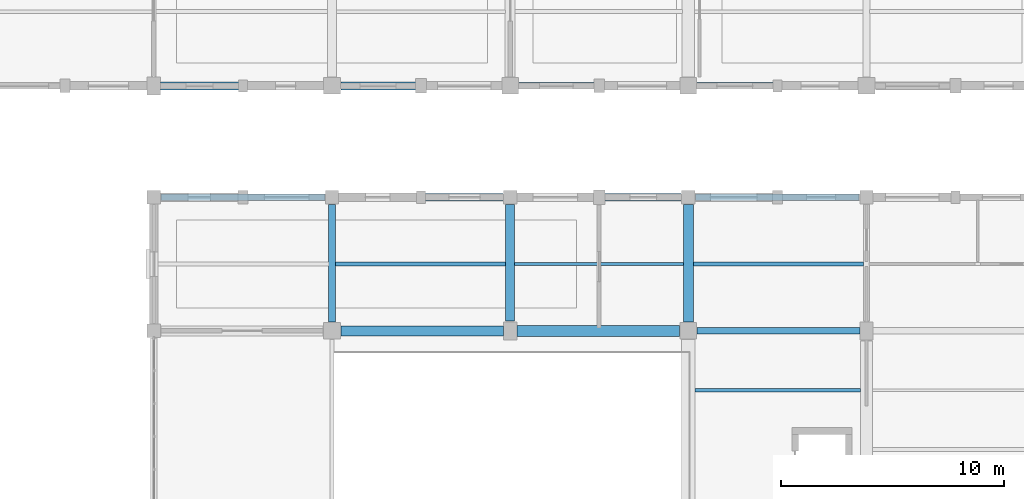
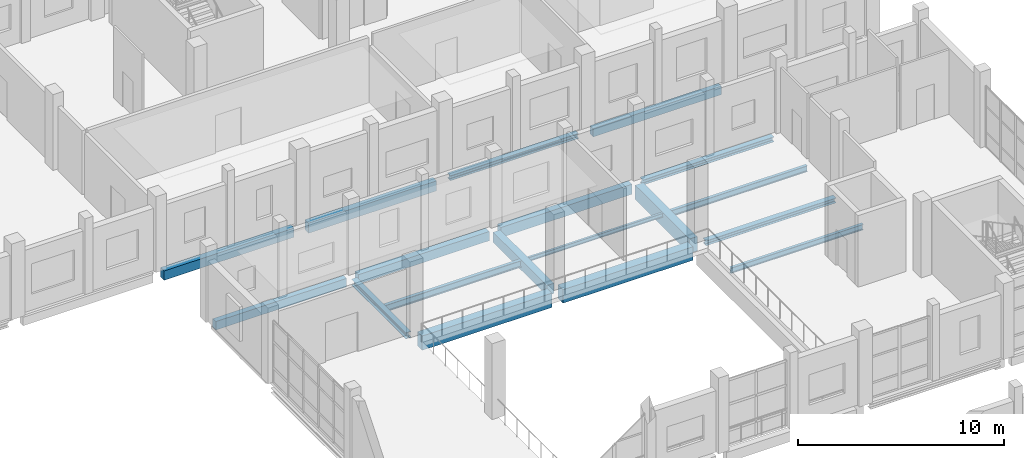
# One storey, part 111 of 183: 18 beams.
"""IFC4 building model written with IfcOpenShell, lengths in metres."""

from ifc_helpers import new_model, si_unit, direction, frame, origin, origin_2d, place, context, subcontext, project, spatial, rectangle, i_section, extrude, material, material_profile, profile_set, type_object, element, save


model = new_model("IFC4")

# Units and contexts
model_context = context("Model", 3, precision=1e-05, world=origin(), true_north=direction((0.0, 1.0)))
body_context = subcontext(model_context, "Body", "Model", "MODEL_VIEW")
ifc_project = project(units=[si_unit("LENGTHUNIT", "METRE"), si_unit("AREAUNIT", "SQUARE_METRE"), si_unit("VOLUMEUNIT", "CUBIC_METRE"), si_unit("PLANEANGLEUNIT", "RADIAN"), si_unit("MASSUNIT", "GRAM", prefix="KILO")], contexts=[model_context])

# Site, building, storey
site_placement = place(None, origin())
site = spatial("IfcSite", under=ifc_project, at=site_placement, CompositionType="ELEMENT")
building_placement = place(site_placement, origin())
building = spatial("IfcBuilding", under=site, at=building_placement, Name="Luwemba Playhouse", CompositionType="ELEMENT")
storey_placement = place(building_placement, frame((0.0, 0.0, 4.800048828125)))
storey = spatial("IfcBuildingStorey", under=building, at=storey_placement, Name="L01", CompositionType="ELEMENT", Elevation=4.800048828125)

# Beams
ifc_material_1 = material(Name="Concrete C40/50", Category="concrete")
ifc_material_profile_1 = material_profile(ifc_material_1, rectangle(XDim=0.39990234375, YDim=0.60009765625, at=origin_2d()))
ifc_profile_set_1 = profile_set([ifc_material_profile_1], Name="Concrete C40/50")
beam_type_1 = type_object("IfcBeamType", Name="BM-RB01", PredefinedType="BEAM", material=ifc_profile_set_1)
beam_1_placement = place(storey_placement, frame((148.0, 84.449951171875, -0.550048828125), z_axis=(0.0, 1.0, 0.0), x_axis=(-1.0, 0.0, 0.0)))
element("IfcBeam", 1, at=beam_1_placement, inside=storey, type_object=beam_type_1, Name="L01 transverse girder 0459", PredefinedType="BEAM", context=body_context, shape_type="SweptSolid", body=[
    extrude(rectangle(XDim=0.39990234375, YDim=0.60009765625, at=origin_2d()), origin(), (0.0, 0.0, 1.0), 5.22509765625),
])
ifc_material_profile_2 = material_profile(ifc_material_1, rectangle(XDim=0.449951171875, YDim=0.85009765625, at=origin_2d()))
ifc_profile_set_2 = profile_set([ifc_material_profile_2], Name="Concrete C40/50")
beam_type_2 = type_object("IfcBeamType", Name="BM-RB05", PredefinedType="BEAM", material=ifc_profile_set_2)
beam_2_placement = place(storey_placement, frame((140.39990234375, 84.0, -0.675048828125), z_axis=(1.0, 0.0, 0.0), x_axis=(0.0, 1.0, 0.0)))
element("IfcBeam", 2, at=beam_2_placement, inside=storey, type_object=beam_type_2, Name="L01 grid girder 0444", PredefinedType="BEAM", context=body_context, shape_type="SweptSolid", body=[
    extrude(rectangle(XDim=0.449951171875, YDim=0.85009765625, at=origin_2d()), origin(), (0.0, 0.0, 1.0), 7.300048828125),
])
beam_3_placement = place(storey_placement, frame((156.0, 84.39990234375, -0.675048828125), z_axis=(0.0, 1.0, 0.0), x_axis=(-1.0, 0.0, 0.0)))
element("IfcBeam", 3, at=beam_3_placement, inside=storey, type_object=beam_type_2, Name="L01 transverse girder 0461", PredefinedType="BEAM", context=body_context, shape_type="SweptSolid", body=[
    extrude(rectangle(XDim=0.449951171875, YDim=0.85009765625, at=origin_2d()), origin(), (0.0, 0.0, 1.0), 5.275146484375),
])
ifc_material_profile_3 = material_profile(ifc_material_1, rectangle(XDim=0.5, YDim=0.800048828125, at=origin_2d()))
ifc_profile_set_3 = profile_set([ifc_material_profile_3], Name="Concrete C40/50")
beam_type_3 = type_object("IfcBeamType", Name="BM-RB06", PredefinedType="BEAM", material=ifc_profile_set_3)
beam_4_placement = place(storey_placement, frame((148.300048828125, 84.0, -0.650146484375), z_axis=(1.0, 0.0, 0.0), x_axis=(0.0, 1.0, 0.0)))
element("IfcBeam", 4, at=beam_4_placement, inside=storey, type_object=beam_type_3, Name="L01 grid girder 0445", PredefinedType="BEAM", context=body_context, shape_type="SweptSolid", body=[
    extrude(rectangle(XDim=0.5, YDim=0.800048828125, at=origin_2d()), origin(), (0.0, 0.0, 1.0), 7.300048828125),
])
ifc_material_2 = material(Name="Steel S355", Category="steel")
ifc_material_profile_4 = material_profile(ifc_material_2, i_section(OverallWidth=0.300048828125, OverallDepth=0.2900390625, WebThickness=0.008544921875, FlangeThickness=0.013916015625, FilletRadius=0.027099609375, at=origin_2d()))
ifc_profile_set_4 = profile_set([ifc_material_profile_4], Name="Steel S355")
beam_type_4 = type_object("IfcBeamType", Name="BM-SB03", PredefinedType="BEAM", material=ifc_profile_set_4)
beam_5_placement = place(storey_placement, frame((156.39990234375, 84.0, -0.39501953125), z_axis=(1.0, 0.0, 0.0), x_axis=(0.0, 1.0, 0.0)))
element("IfcBeam", 5, at=beam_5_placement, inside=storey, type_object=beam_type_4, Name="L01 grid girder 0446", PredefinedType="BEAM", context=body_context, shape_type="SweptSolid", body=[
    extrude(i_section(OverallWidth=0.300048828125, OverallDepth=0.2900390625, WebThickness=0.008544921875, FlangeThickness=0.013916015625, FilletRadius=0.027099609375, at=origin_2d()), origin(), (0.0, 0.0, 1.0), 7.300048828125),
])
ifc_material_profile_5 = material_profile(ifc_material_2, i_section(OverallWidth=0.300048828125, OverallDepth=0.360107421875, WebThickness=0.012451171875, FlangeThickness=0.0224609375, FilletRadius=0.027099609375, at=origin_2d()))
ifc_profile_set_5 = profile_set([ifc_material_profile_5], Name="Steel S355")
beam_type_5 = type_object("IfcBeamType", Name="BM-SB09", PredefinedType="BEAM", material=ifc_profile_set_5)
beam_6_placement = place(storey_placement, frame((140.0, 84.39990234375, -0.429931640625), z_axis=(0.0, 1.0, 0.0), x_axis=(-1.0, 0.0, 0.0)))
element("IfcBeam", 6, at=beam_6_placement, inside=storey, type_object=beam_type_5, Name="L01 transverse girder 0458", PredefinedType="BEAM", context=body_context, shape_type="SweptSolid", body=[
    extrude(i_section(OverallWidth=0.300048828125, OverallDepth=0.360107421875, WebThickness=0.012451171875, FlangeThickness=0.0224609375, FilletRadius=0.027099609375, at=origin_2d()), origin(), (0.0, 0.0, 1.0), 5.275146484375),
])
ifc_material_profile_6 = material_profile(ifc_material_2, i_section(OverallWidth=0.1201171875, OverallDepth=0.239990234375, WebThickness=0.006103515625, FlangeThickness=0.009765625, FilletRadius=0.014892578125, at=origin_2d()))
ifc_profile_set_6 = profile_set([ifc_material_profile_6], Name="Steel S355")
beam_type_6 = type_object("IfcBeamType", Name="BM-SJ03", PredefinedType="JOIST", material=ifc_profile_set_6)
beam_7_placement = place(storey_placement, frame((148.196044921875, 87.0, -0.3701171875), z_axis=(1.0, 0.0, 0.0), x_axis=(0.0, 1.0, 0.0)))
element("IfcBeam", 7, at=beam_7_placement, inside=storey, type_object=beam_type_6, Name="L01 composite floor joist 0268", PredefinedType="JOIST", context=body_context, shape_type="SweptSolid", body=[
    extrude(i_section(OverallWidth=0.1201171875, OverallDepth=0.239990234375, WebThickness=0.006103515625, FlangeThickness=0.009765625, FilletRadius=0.014892578125, at=origin_2d()), origin(), (0.0, 0.0, 1.0), 7.5830078125),
])
ifc_material_profile_7 = material_profile(ifc_material_2, i_section(OverallWidth=0.159912109375, OverallDepth=0.330078125, WebThickness=0.007568359375, FlangeThickness=0.011474609375, FilletRadius=0.01806640625, at=origin_2d()))
ifc_profile_set_7 = profile_set([ifc_material_profile_7], Name="Steel S355")
beam_type_7 = type_object("IfcBeamType", Name="BM-SJ06", PredefinedType="JOIST", material=ifc_profile_set_7)
beam_8_placement = place(storey_placement, frame((156.2958984375, 81.333251953125, -0.4150390625), z_axis=(1.0, 0.0, 0.0), x_axis=(0.0, 1.0, 0.0)))
element("IfcBeam", 8, at=beam_8_placement, inside=storey, type_object=beam_type_7, Name="L01 composite floor joist 0271", PredefinedType="JOIST", context=body_context, shape_type="SweptSolid", body=[
    extrude(i_section(OverallWidth=0.159912109375, OverallDepth=0.330078125, WebThickness=0.007568359375, FlangeThickness=0.011474609375, FilletRadius=0.01806640625, at=origin_2d()), origin(), (0.0, 0.0, 1.0), 7.43310546875),
])
ifc_material_profile_8 = material_profile(ifc_material_2, i_section(OverallWidth=0.169921875, OverallDepth=0.360107421875, WebThickness=0.008056640625, FlangeThickness=0.0126953125, FilletRadius=0.01806640625, at=origin_2d()))
ifc_profile_set_8 = profile_set([ifc_material_profile_8], Name="Steel S355")
beam_type_8 = type_object("IfcBeamType", Name="BM-SJ07", PredefinedType="JOIST", material=ifc_profile_set_8)
beam_9_placement = place(storey_placement, frame((156.220947265625, 87.0, -0.429931640625), z_axis=(1.0, 0.0, 0.0), x_axis=(0.0, 1.0, 0.0)))
element("IfcBeam", 9, at=beam_9_placement, inside=storey, type_object=beam_type_8, Name="L01 composite floor joist 0272", PredefinedType="JOIST", context=body_context, shape_type="SweptSolid", body=[
    extrude(i_section(OverallWidth=0.169921875, OverallDepth=0.360107421875, WebThickness=0.008056640625, FlangeThickness=0.0126953125, FilletRadius=0.01806640625, at=origin_2d()), origin(), (0.0, 0.0, 1.0), 7.64306640625),
])
ifc_material_profile_9 = material_profile(ifc_material_2, i_section(OverallWidth=0.179931640625, OverallDepth=0.39990234375, WebThickness=0.008544921875, FlangeThickness=0.013427734375, FilletRadius=0.02099609375, at=origin_2d()))
ifc_profile_set_9 = profile_set([ifc_material_profile_9], Name="Steel S355")
beam_type_9 = type_object("IfcBeamType", Name="BM-SJ08", PredefinedType="JOIST", material=ifc_profile_set_9)
beam_10_placement = place(storey_placement, frame((140.14599609375, 87.0, -0.449951171875), z_axis=(1.0, 0.0, 0.0), x_axis=(0.0, 1.0, 0.0)))
element("IfcBeam", 10, at=beam_10_placement, inside=storey, type_object=beam_type_9, Name="L01 composite floor joist 0267", PredefinedType="JOIST", context=body_context, shape_type="SweptSolid", body=[
    extrude(i_section(OverallWidth=0.179931640625, OverallDepth=0.39990234375, WebThickness=0.008544921875, FlangeThickness=0.013427734375, FilletRadius=0.02099609375, at=origin_2d()), origin(), (0.0, 0.0, 1.0), 7.657958984375),
])
ifc_material_profile_10 = material_profile(ifc_material_1, rectangle(XDim=0.300048828125, YDim=0.5, at=origin_2d()))
ifc_profile_set_10 = profile_set([ifc_material_profile_10], Name="Concrete C40/50")
beam_type_10 = type_object("IfcBeamType", Name="BM-SP1", PredefinedType="SPANDREL", material=ifc_profile_set_10)
beam_11_placement = place(storey_placement, frame((132.324951171875, 90.0, -0.5), z_axis=(1.0, 0.0, 0.0), x_axis=(0.0, 1.0, 0.0)))
element("IfcBeam", 11, at=beam_11_placement, inside=storey, type_object=beam_type_10, Name="L01 grid girder 0448", PredefinedType="SPANDREL", context=body_context, shape_type="SweptSolid", body=[
    extrude(rectangle(XDim=0.300048828125, YDim=0.5, at=origin_2d()), origin(), (0.0, 0.0, 1.0), 7.35009765625),
])
beam_12_placement = place(storey_placement, frame((156.39990234375, 95.0, -0.5), z_axis=(1.0, 0.0, 0.0), x_axis=(0.0, 1.0, 0.0)))
element("IfcBeam", 12, at=beam_12_placement, inside=storey, type_object=beam_type_10, Name="L01 grid girder 0608", PredefinedType="SPANDREL", context=body_context, shape_type="SweptSolid", body=[
    extrude(rectangle(XDim=0.300048828125, YDim=0.5, at=origin_2d()), origin(), (0.0, 0.0, 1.0), 7.2001953125),
])
ifc_material_profile_11 = material_profile(ifc_material_1, rectangle(XDim=0.35009765625, YDim=0.550048828125, at=origin_2d()))
ifc_profile_set_11 = profile_set([ifc_material_profile_11], Name="Concrete C40/50")
beam_type_11 = type_object("IfcBeamType", Name="BM-SP2", PredefinedType="SPANDREL", material=ifc_profile_set_11)
beam_13_placement = place(storey_placement, frame((140.324951171875, 90.0, -0.525146484375), z_axis=(1.0, 0.0, 0.0), x_axis=(0.0, 1.0, 0.0)))
element("IfcBeam", 13, at=beam_13_placement, inside=storey, type_object=beam_type_11, Name="L01 grid girder 0449", PredefinedType="SPANDREL", context=body_context, shape_type="SweptSolid", body=[
    extrude(rectangle(XDim=0.35009765625, YDim=0.550048828125, at=origin_2d()), origin(), (0.0, 0.0, 1.0), 7.35009765625),
])
beam_14_placement = place(storey_placement, frame((132.300048828125, 95.0, -0.525146484375), z_axis=(1.0, 0.0, 0.0), x_axis=(0.0, 1.0, 0.0)))
element("IfcBeam", 14, at=beam_14_placement, inside=storey, type_object=beam_type_11, Name="L01 grid girder 0605", PredefinedType="SPANDREL", context=body_context, shape_type="SweptSolid", body=[
    extrude(rectangle(XDim=0.35009765625, YDim=0.550048828125, at=origin_2d()), origin(), (0.0, 0.0, 1.0), 7.300048828125),
])
ifc_material_profile_12 = material_profile(ifc_material_1, rectangle(XDim=0.35009765625, YDim=0.60009765625, at=origin_2d()))
ifc_profile_set_12 = profile_set([ifc_material_profile_12], Name="Concrete C40/50")
beam_type_12 = type_object("IfcBeamType", Name="BM-SP3", PredefinedType="SPANDREL", material=ifc_profile_set_12)
beam_15_placement = place(storey_placement, frame((148.324951171875, 90.0, -0.550048828125), z_axis=(1.0, 0.0, 0.0), x_axis=(0.0, 1.0, 0.0)))
element("IfcBeam", 15, at=beam_15_placement, inside=storey, type_object=beam_type_12, Name="L01 grid girder 0450", PredefinedType="SPANDREL", context=body_context, shape_type="SweptSolid", body=[
    extrude(rectangle(XDim=0.35009765625, YDim=0.60009765625, at=origin_2d()), origin(), (0.0, 0.0, 1.0), 7.35009765625),
])
beam_16_placement = place(storey_placement, frame((140.39990234375, 95.0, -0.550048828125), z_axis=(1.0, 0.0, 0.0), x_axis=(0.0, 1.0, 0.0)))
element("IfcBeam", 16, at=beam_16_placement, inside=storey, type_object=beam_type_12, Name="L01 grid girder 0606", PredefinedType="SPANDREL", context=body_context, shape_type="SweptSolid", body=[
    extrude(rectangle(XDim=0.35009765625, YDim=0.60009765625, at=origin_2d()), origin(), (0.0, 0.0, 1.0), 7.2001953125),
])
ifc_material_profile_13 = material_profile(ifc_material_2, i_section(OverallWidth=0.300048828125, OverallDepth=0.300048828125, WebThickness=0.010986328125, FlangeThickness=0.01904296875, FilletRadius=0.027099609375, at=origin_2d()))
ifc_profile_set_13 = profile_set([ifc_material_profile_13], Name="Steel S355")
beam_type_13 = type_object("IfcBeamType", Name="BM-SSP1", PredefinedType="SPANDREL", material=ifc_profile_set_13)
beam_17_placement = place(storey_placement, frame((156.324951171875, 90.0, -0.400146484375), z_axis=(1.0, 0.0, 0.0), x_axis=(0.0, 1.0, 0.0)))
element("IfcBeam", 17, at=beam_17_placement, inside=storey, type_object=beam_type_13, Name="L01 grid girder 0451", PredefinedType="SPANDREL", context=body_context, shape_type="SweptSolid", body=[
    extrude(i_section(OverallWidth=0.300048828125, OverallDepth=0.300048828125, WebThickness=0.010986328125, FlangeThickness=0.01904296875, FilletRadius=0.027099609375, at=origin_2d()), origin(), (0.0, 0.0, 1.0), 7.35009765625),
])
beam_18_placement = place(storey_placement, frame((148.39990234375, 95.0, -0.400146484375), z_axis=(1.0, 0.0, 0.0), x_axis=(0.0, 1.0, 0.0)))
element("IfcBeam", 18, at=beam_18_placement, inside=storey, type_object=beam_type_13, Name="L01 grid girder 0607", PredefinedType="SPANDREL", context=body_context, shape_type="SweptSolid", body=[
    extrude(i_section(OverallWidth=0.300048828125, OverallDepth=0.300048828125, WebThickness=0.010986328125, FlangeThickness=0.01904296875, FilletRadius=0.027099609375, at=origin_2d()), origin(), (0.0, 0.0, 1.0), 7.2001953125),
])

save(model, "model.ifc")
